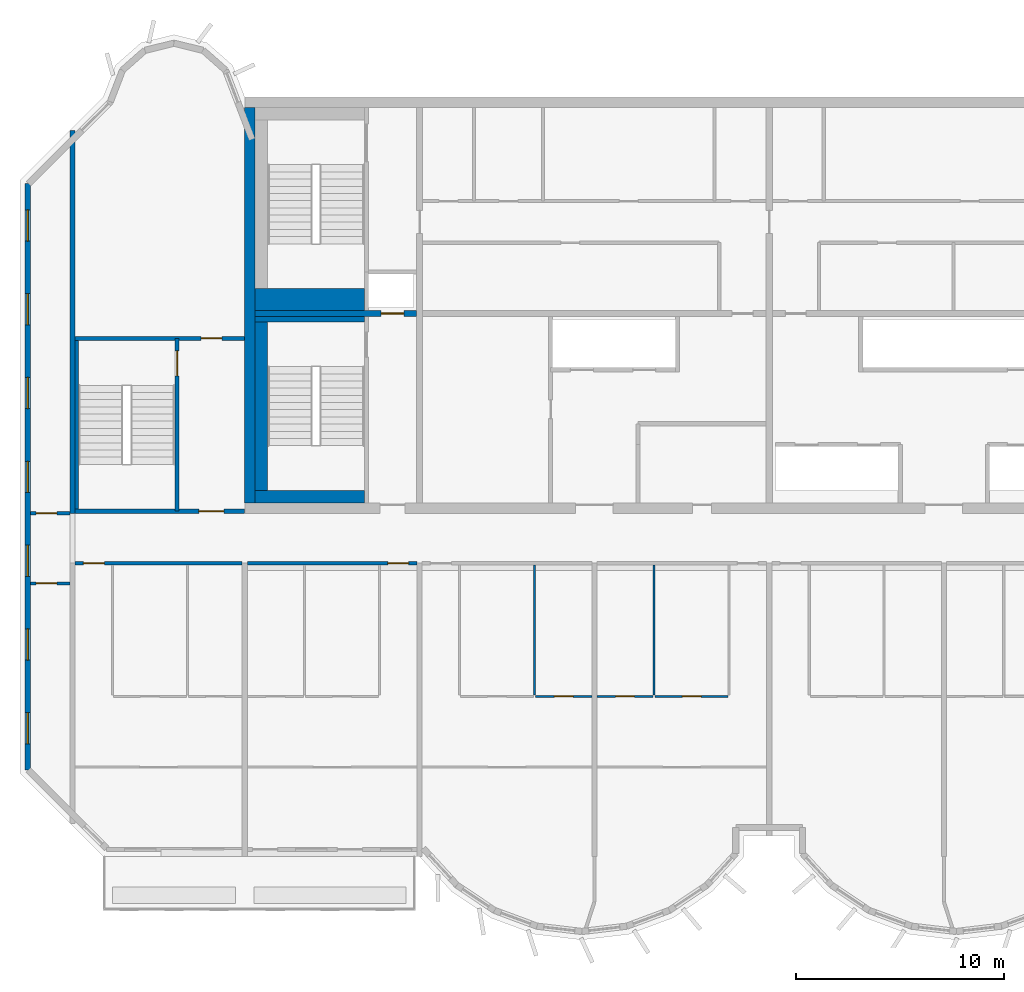
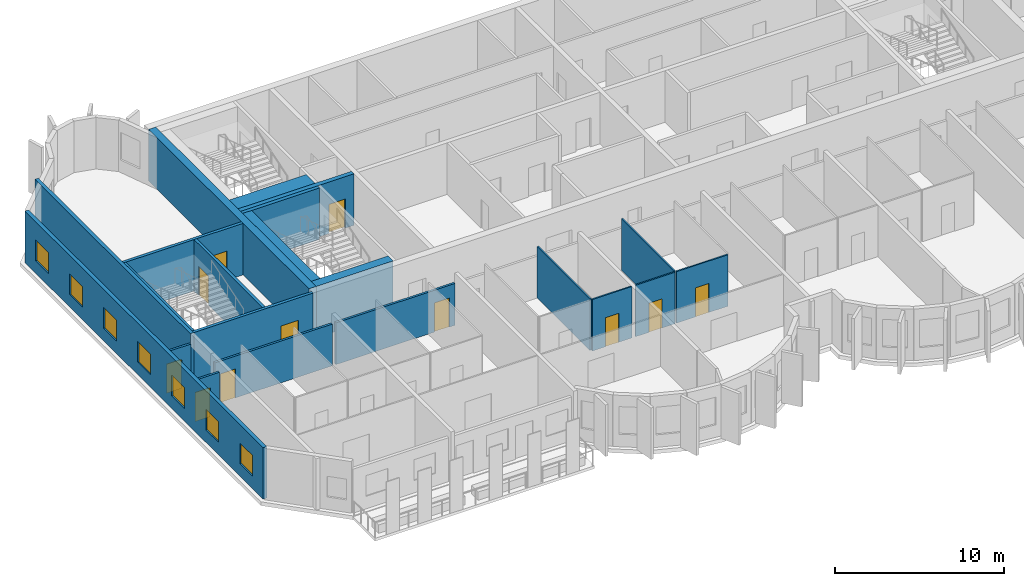
# One storey, part 3 of 12: 21 walls, 11 doors, 7 windows, 18 openings.
"""IFC4 building model written with IfcOpenShell, lengths in metres."""

from ifc_helpers import new_model, si_unit, direction, frame, frame_2d, origin, place, context, subcontext, project, spatial, rectangle, extrude, source, transform, mapped, material, layer, layer_set, type_object, element, fill, save


model = new_model("IFC4")

# Units and contexts
model_context = context("Model", 3, precision=1e-05, world=origin(), true_north=direction((0.0, 1.0)))
body_context = subcontext(model_context, "Body", "Model", "MODEL_VIEW")
ifc_project = project(units=[si_unit("LENGTHUNIT", "METRE"), si_unit("AREAUNIT", "SQUARE_METRE"), si_unit("VOLUMEUNIT", "CUBIC_METRE"), si_unit("PLANEANGLEUNIT", "RADIAN"), si_unit("MASSUNIT", "GRAM", prefix="KILO")], contexts=[model_context])

# Site, building, storey
site_placement = place(None, origin())
site = spatial("IfcSite", under=ifc_project, at=site_placement, CompositionType="ELEMENT")
building_placement = place(site_placement, origin())
building = spatial("IfcBuilding", under=site, at=building_placement, Name="Vanashikhar Sky Hotel", CompositionType="ELEMENT")
storey_placement = place(building_placement, frame((0.0, 0.0, 285.699951171875)))
storey = spatial("IfcBuildingStorey", under=building, at=storey_placement, Name="L68", CompositionType="ELEMENT", Elevation=285.699951171875)

# Wall
ifc_material_1 = material(Name="Concrete M50", Category="concrete")
ifc_layer_1 = layer(ifc_material_1, 0.5)
ifc_layer_set_1 = layer_set([ifc_layer_1], Name="RC core shell wall 500 Concrete M50")
wall_type_1 = type_object("IfcWallType", Name="RC core shell wall 500 Concrete M50", PredefinedType="SHEAR", material=ifc_layer_set_1)
shared_shape_1 = source(origin(), body_context, "Body", "SweptSolid", [
    extrude(rectangle(XDim=19.0, YDim=0.5, at=frame_2d((9.5, 0.0))), origin(), (0.0, 0.0, 1.0), 3.719970703125),
])
wall_1_placement = place(storey_placement, frame((25.449951171875, 22.5, 0.0), z_axis=(0.0, 0.0, 1.0), x_axis=(0.0, 1.0, 0.0)))
element("IfcWall", 1, at=wall_1_placement, inside=storey, type_object=wall_type_1, Name="KW-L68-KW", PredefinedType="SHEAR", context=body_context, shape_type="MappedRepresentation", body=[
    mapped(shared_shape_1, transform((0.0, 0.0, 0.0), scale=1.0)),
])

# Wall, opening, door
ifc_layer_2 = layer(ifc_material_1, 0.300048828125)
ifc_layer_set_2 = layer_set([ifc_layer_2], Name="RC core inner wall 300 Concrete M50")
wall_type_2 = type_object("IfcWallType", Name="RC core inner wall 300 Concrete M50", PredefinedType="SHEAR", material=ifc_layer_set_2)
shared_shape_2 = source(origin(), body_context, "Body", "SweptSolid", [
    extrude(rectangle(XDim=7.75, YDim=0.300048828125, at=frame_2d((3.875, 0.0))), origin(), (0.0, 0.0, 1.0), 3.719970703125),
])
wall_2_placement = place(storey_placement, frame((25.699951171875, 31.60009765625, 0.0), z_axis=(0.0, 0.0, 1.0), x_axis=(1.0, 0.0, 0.0)))
wall_2 = element("IfcWall", 2, at=wall_2_placement, inside=storey, type_object=wall_type_2, Name="KW-L68-KY1", PredefinedType="SHEAR", context=body_context, shape_type="MappedRepresentation", body=[
    mapped(shared_shape_2, transform((0.0, 0.0, 0.0), scale=1.0)),
])
shared_shape_3 = source(origin(), body_context, "Body", "SweptSolid", [
    extrude(rectangle(XDim=1.10009765625, YDim=2.10009765625, at=frame_2d((0.550048828125, 1.050048828125))), frame((0.0, 0.16015625, 0.0), z_axis=(0.0, -1.0, 0.0), x_axis=(1.0, 0.0, 0.0)), (0.0, 0.0, 1.0), 0.320068359375),
])
opening_1_placement = place(wall_2_placement, frame((6.050048828125, 0.0, 0.0)))
opening_1 = element("IfcOpeningElement", 3, at=opening_1_placement, cuts=wall_2, Name="Opening LD", PredefinedType="OPENING", context=body_context, shape_type="MappedRepresentation", body=[
    mapped(shared_shape_3, transform((0.0, 0.0, 0.0), scale=1.0)),
])
ifc_material_2 = material(Name="Stainless steel", Category="steel")
door_type_1 = type_object("IfcDoorType", Name="Lift landing door 1100", OperationType="NOTDEFINED", PredefinedType="DOOR", material=ifc_material_2)
shared_shape_4 = source(origin(), body_context, "Body", "SweptSolid", [
    extrude(rectangle(XDim=1.10009765625, YDim=2.10009765625, at=frame_2d((0.550048828125, 1.050048828125))), frame((0.0, 0.02490234375, 0.0), z_axis=(0.0, -1.0, 0.0), x_axis=(1.0, 0.0, 0.0)), (0.0, 0.0, 1.0), 0.050048828125),
])
door_1_placement = place(opening_1_placement, origin())
door_1 = element("IfcDoor", 4, at=door_1_placement, inside=storey, type_object=door_type_1, Name="Lift landing door 1100", OperationType="SLIDING_TO_RIGHT", OverallHeight=2.10009765625, OverallWidth=1.10009765625, PredefinedType="DOOR", context=body_context, shape_type="MappedRepresentation", body=[
    mapped(shared_shape_4, transform((0.0, 0.0, 0.0), scale=1.0)),
])
fill(opening_1, door_1)

# Wall
ifc_layer_3 = layer(ifc_material_1, 0.25)
ifc_layer_set_3 = layer_set([ifc_layer_3], Name="RC shear wall 250 Concrete M50")
wall_type_3 = type_object("IfcWallType", Name="RC shear wall 250 Concrete M50", PredefinedType="SHEAR", material=ifc_layer_set_3)
shared_shape_5 = source(origin(), body_context, "Body", "SweptSolid", [
    extrude(rectangle(XDim=18.39990234375, YDim=0.25, at=frame_2d((9.199951171875, 0.0))), origin(), (0.0, 0.0, 1.0), 3.719970703125),
])
wall_3_placement = place(storey_placement, frame((16.925048828125, 22.0, 0.0), z_axis=(0.0, 0.0, 1.0), x_axis=(0.0, 1.0, 0.0)))
element("IfcWall", 5, at=wall_3_placement, inside=storey, type_object=wall_type_3, Name="CW-L68-XW03-2", PredefinedType="SHEAR", context=body_context, shape_type="MappedRepresentation", body=[
    mapped(shared_shape_5, transform((0.0, 0.0, 0.0), scale=1.0)),
])

# Wall, openings, windows
ifc_layer_4 = layer(ifc_material_1, 0.25)
ifc_layer_set_4 = layer_set([ifc_layer_4], Name="Rear and end board-marked wall 250")
wall_type_4 = type_object("IfcWallType", Name="Rear and end board-marked wall 250", PredefinedType="SOLIDWALL", material=ifc_layer_set_4)
shared_shape_6 = source(origin(), body_context, "Body", "SweptSolid", [
    extrude(rectangle(XDim=28.189453125, YDim=0.25, at=frame_2d((14.0947265625, 0.0))), origin(), (0.0, 0.0, 1.0), 3.719970703125),
])
wall_4_placement = place(storey_placement, frame((14.77490234375, 37.8447265625, 0.0), z_axis=(0.0, 0.0, 1.0), x_axis=(0.0, -1.0, 0.0)))
wall_4 = element("IfcWall", 6, at=wall_4_placement, inside=storey, type_object=wall_type_4, Name="End board-marked wall", PredefinedType="SOLIDWALL", context=body_context, shape_type="MappedRepresentation", body=[
    mapped(shared_shape_6, transform((0.0, 0.0, 0.0), scale=1.0)),
])
shared_shape_7 = source(origin(), body_context, "Body", "SweptSolid", [
    extrude(rectangle(XDim=1.5, YDim=1.5, at=frame_2d((0.75, 0.75))), frame((0.0, 0.135009765625, 0.0), z_axis=(0.0, -1.0, 0.0), x_axis=(1.0, 0.0, 0.0)), (0.0, 0.0, 1.0), 0.27001953125),
])
opening_2_placement = place(wall_4_placement, frame((1.263427734375, 0.0, 0.89990234375)))
opening_2 = element("IfcOpeningElement", 7, at=opening_2_placement, cuts=wall_4, Name="Opening WN-1", PredefinedType="OPENING", context=body_context, shape_type="MappedRepresentation", body=[
    mapped(shared_shape_7, transform((0.0, 0.0, 0.0), scale=1.0)),
])
opening_3_placement = place(wall_4_placement, frame((5.29052734375, 0.0, 0.89990234375)))
opening_3 = element("IfcOpeningElement", 8, at=opening_3_placement, cuts=wall_4, Name="Opening WN-1", PredefinedType="OPENING", context=body_context, shape_type="MappedRepresentation", body=[
    mapped(shared_shape_7, transform((0.0, 0.0, 0.0), scale=1.0)),
])
opening_4_placement = place(wall_4_placement, frame((9.317626953125, 0.0, 0.89990234375)))
opening_4 = element("IfcOpeningElement", 9, at=opening_4_placement, cuts=wall_4, Name="Opening WN-1", PredefinedType="OPENING", context=body_context, shape_type="MappedRepresentation", body=[
    mapped(shared_shape_7, transform((0.0, 0.0, 0.0), scale=1.0)),
])
opening_5_placement = place(wall_4_placement, frame((13.3447265625, 0.0, 0.89990234375)))
opening_5 = element("IfcOpeningElement", 10, at=opening_5_placement, cuts=wall_4, Name="Opening WN-1", PredefinedType="OPENING", context=body_context, shape_type="MappedRepresentation", body=[
    mapped(shared_shape_7, transform((0.0, 0.0, 0.0), scale=1.0)),
])
opening_6_placement = place(wall_4_placement, frame((17.371826171875, 0.0, 0.89990234375)))
opening_6 = element("IfcOpeningElement", 11, at=opening_6_placement, cuts=wall_4, Name="Opening WN-1", PredefinedType="OPENING", context=body_context, shape_type="MappedRepresentation", body=[
    mapped(shared_shape_7, transform((0.0, 0.0, 0.0), scale=1.0)),
])
opening_7_placement = place(wall_4_placement, frame((21.398681640625, 0.0, 0.89990234375)))
opening_7 = element("IfcOpeningElement", 12, at=opening_7_placement, cuts=wall_4, Name="Opening WN-1", PredefinedType="OPENING", context=body_context, shape_type="MappedRepresentation", body=[
    mapped(shared_shape_7, transform((0.0, 0.0, 0.0), scale=1.0)),
])
opening_8_placement = place(wall_4_placement, frame((25.42578125, 0.0, 0.89990234375)))
opening_8 = element("IfcOpeningElement", 13, at=opening_8_placement, cuts=wall_4, Name="Opening WN-1", PredefinedType="OPENING", context=body_context, shape_type="MappedRepresentation", body=[
    mapped(shared_shape_7, transform((0.0, 0.0, 0.0), scale=1.0)),
])
ifc_material_3 = material(Name="Glass", Category="glass")
window_type = type_object("IfcWindowType", Name="Window 1500 x 1500", PartitioningType="SINGLE_PANEL", PredefinedType="WINDOW", material=ifc_material_3)
shared_shape_8 = source(origin(), body_context, "Body", "SweptSolid", [
    extrude(rectangle(XDim=1.5, YDim=1.5, at=frame_2d((0.75, 0.75))), frame((0.0, 0.030029296875, 0.0), z_axis=(0.0, -1.0, 0.0), x_axis=(1.0, 0.0, 0.0)), (0.0, 0.0, 1.0), 0.06005859375),
])
window_1_placement = place(opening_2_placement, origin())
window_1 = element("IfcWindow", 14, at=window_1_placement, inside=storey, type_object=window_type, Name="Window WN-1", OverallHeight=1.5, OverallWidth=1.5, PartitioningType="SINGLE_PANEL", PredefinedType="WINDOW", context=body_context, shape_type="MappedRepresentation", body=[
    mapped(shared_shape_8, transform((0.0, 0.0, 0.0), scale=1.0)),
])
fill(opening_2, window_1)
window_2_placement = place(opening_3_placement, origin())
window_2 = element("IfcWindow", 15, at=window_2_placement, inside=storey, type_object=window_type, Name="Window WN-1", OverallHeight=1.5, OverallWidth=1.5, PartitioningType="SINGLE_PANEL", PredefinedType="WINDOW", context=body_context, shape_type="MappedRepresentation", body=[
    mapped(shared_shape_8, transform((0.0, 0.0, 0.0), scale=1.0)),
])
fill(opening_3, window_2)
window_3_placement = place(opening_4_placement, origin())
window_3 = element("IfcWindow", 16, at=window_3_placement, inside=storey, type_object=window_type, Name="Window WN-1", OverallHeight=1.5, OverallWidth=1.5, PartitioningType="SINGLE_PANEL", PredefinedType="WINDOW", context=body_context, shape_type="MappedRepresentation", body=[
    mapped(shared_shape_8, transform((0.0, 0.0, 0.0), scale=1.0)),
])
fill(opening_4, window_3)
window_4_placement = place(opening_5_placement, origin())
window_4 = element("IfcWindow", 17, at=window_4_placement, inside=storey, type_object=window_type, Name="Window WN-1", OverallHeight=1.5, OverallWidth=1.5, PartitioningType="SINGLE_PANEL", PredefinedType="WINDOW", context=body_context, shape_type="MappedRepresentation", body=[
    mapped(shared_shape_8, transform((0.0, 0.0, 0.0), scale=1.0)),
])
fill(opening_5, window_4)
window_5_placement = place(opening_6_placement, origin())
window_5 = element("IfcWindow", 18, at=window_5_placement, inside=storey, type_object=window_type, Name="Window WN-1", OverallHeight=1.5, OverallWidth=1.5, PartitioningType="SINGLE_PANEL", PredefinedType="WINDOW", context=body_context, shape_type="MappedRepresentation", body=[
    mapped(shared_shape_8, transform((0.0, 0.0, 0.0), scale=1.0)),
])
fill(opening_6, window_5)
window_6_placement = place(opening_7_placement, origin())
window_6 = element("IfcWindow", 19, at=window_6_placement, inside=storey, type_object=window_type, Name="Window WN-1", OverallHeight=1.5, OverallWidth=1.5, PartitioningType="SINGLE_PANEL", PredefinedType="WINDOW", context=body_context, shape_type="MappedRepresentation", body=[
    mapped(shared_shape_8, transform((0.0, 0.0, 0.0), scale=1.0)),
])
fill(opening_7, window_6)
window_7_placement = place(opening_8_placement, origin())
window_7 = element("IfcWindow", 20, at=window_7_placement, inside=storey, type_object=window_type, Name="Window WN-1", OverallHeight=1.5, OverallWidth=1.5, PartitioningType="SINGLE_PANEL", PredefinedType="WINDOW", context=body_context, shape_type="MappedRepresentation", body=[
    mapped(shared_shape_8, transform((0.0, 0.0, 0.0), scale=1.0)),
])
fill(opening_8, window_7)

# Wall, opening, door
ifc_layer_5 = layer(ifc_material_1, 0.199951171875)
ifc_layer_set_5 = layer_set([ifc_layer_5], Name="Stair wall 200")
wall_type_5 = type_object("IfcWallType", Name="Stair wall 200", PredefinedType="SOLIDWALL", material=ifc_layer_set_5)
shared_shape_9 = source(origin(), body_context, "Body", "SweptSolid", [
    extrude(rectangle(XDim=8.2998046875, YDim=0.199951171875, at=frame_2d((4.14990234375, 0.0))), origin(), (0.0, 0.0, 1.0), 3.719970703125),
])
wall_5_placement = place(storey_placement, frame((21.949951171875, 22.10009765625, 0.0), z_axis=(0.0, 0.0, 1.0), x_axis=(0.0, 1.0, 0.0)))
wall_5 = element("IfcWall", 21, at=wall_5_placement, inside=storey, type_object=wall_type_5, Name="Stair wall 200", PredefinedType="SOLIDWALL", context=body_context, shape_type="MappedRepresentation", body=[
    mapped(shared_shape_9, transform((0.0, 0.0, 0.0), scale=1.0)),
])
shared_shape_10 = source(origin(), body_context, "Body", "SweptSolid", [
    extrude(rectangle(XDim=1.199951171875, YDim=2.10009765625, at=frame_2d((0.60009765625, 1.050048828125))), frame((0.0, 0.10986328125, 0.0), z_axis=(0.0, -1.0, 0.0), x_axis=(1.0, 0.0, 0.0)), (0.0, 0.0, 1.0), 0.219970703125),
])
opening_9_placement = place(wall_5_placement, frame((6.5, 0.0, 0.0)))
opening_9 = element("IfcOpeningElement", 22, at=opening_9_placement, cuts=wall_5, Name="Opening DC-1", PredefinedType="OPENING", context=body_context, shape_type="MappedRepresentation", body=[
    mapped(shared_shape_10, transform((0.0, 0.0, 0.0), scale=1.0)),
])
ifc_material_4 = material(Name="Steel", Category="steel")
door_type_2 = type_object("IfcDoorType", Name="Stair door 1200 FD120", OperationType="NOTDEFINED", PredefinedType="DOOR", material=ifc_material_4)
shared_shape_11 = source(origin(), body_context, "Body", "SweptSolid", [
    extrude(rectangle(XDim=1.199951171875, YDim=2.10009765625, at=frame_2d((0.60009765625, 1.050048828125))), frame((0.0, 0.02490234375, 0.0), z_axis=(0.0, -1.0, 0.0), x_axis=(1.0, 0.0, 0.0)), (0.0, 0.0, 1.0), 0.050048828125),
])
door_2_placement = place(opening_9_placement, origin())
door_2 = element("IfcDoor", 23, at=door_2_placement, inside=storey, type_object=door_type_2, Name="Stair door 1200 FD120", OperationType="SINGLE_SWING_LEFT", OverallHeight=2.10009765625, OverallWidth=1.199951171875, PredefinedType="DOOR", context=body_context, shape_type="MappedRepresentation", body=[
    mapped(shared_shape_11, transform((0.0, 0.0, 0.0), scale=1.0)),
])
fill(opening_9, door_2)

shared_shape_12 = source(origin(), body_context, "Body", "SweptSolid", [
    extrude(rectangle(XDim=8.14990234375, YDim=0.199951171875, at=frame_2d((4.074951171875, 0.0))), origin(), (0.0, 0.0, 1.0), 3.719970703125),
])
wall_6_placement = place(storey_placement, frame((17.050048828125, 22.10009765625, 0.0), z_axis=(0.0, 0.0, 1.0), x_axis=(1.0, 0.0, 0.0)))
wall_6 = element("IfcWall", 24, at=wall_6_placement, inside=storey, type_object=wall_type_5, Name="Stair wall 200", PredefinedType="SOLIDWALL", context=body_context, shape_type="MappedRepresentation", body=[
    mapped(shared_shape_12, transform((0.0, 0.0, 0.0), scale=1.0)),
])
opening_10_placement = place(wall_6_placement, frame((5.949951171875, 0.0, 0.0)))
opening_10 = element("IfcOpeningElement", 25, at=opening_10_placement, cuts=wall_6, Name="Opening DC-2", PredefinedType="OPENING", context=body_context, shape_type="MappedRepresentation", body=[
    mapped(shared_shape_10, transform((0.0, 0.0, 0.0), scale=1.0)),
])
door_type_3 = type_object("IfcDoorType", Name="Firefighting lobby door 1200 FD120", OperationType="NOTDEFINED", PredefinedType="DOOR", material=ifc_material_4)
door_3_placement = place(opening_10_placement, origin())
door_3 = element("IfcDoor", 26, at=door_3_placement, inside=storey, type_object=door_type_3, Name="Firefighting lobby door 1200 FD120", OperationType="SINGLE_SWING_LEFT", OverallHeight=2.10009765625, OverallWidth=1.199951171875, PredefinedType="DOOR", context=body_context, shape_type="MappedRepresentation", body=[
    mapped(shared_shape_11, transform((0.0, 0.0, 0.0), scale=1.0)),
])
fill(opening_10, door_3)

wall_7_placement = place(storey_placement, frame((17.050048828125, 30.39990234375, 0.0), z_axis=(0.0, 0.0, 1.0), x_axis=(1.0, 0.0, 0.0)))
wall_7 = element("IfcWall", 27, at=wall_7_placement, inside=storey, type_object=wall_type_5, Name="Stair wall 200", PredefinedType="SOLIDWALL", context=body_context, shape_type="MappedRepresentation", body=[
    mapped(shared_shape_12, transform((0.0, 0.0, 0.0), scale=1.0)),
])
shared_shape_13 = source(origin(), body_context, "Body", "SweptSolid", [
    extrude(rectangle(XDim=1.0, YDim=2.10009765625, at=frame_2d((0.5, 1.050048828125))), frame((0.0, 0.10986328125, 0.0), z_axis=(0.0, -1.0, 0.0), x_axis=(1.0, 0.0, 0.0)), (0.0, 0.0, 1.0), 0.219970703125),
])
opening_11_placement = place(wall_7_placement, frame((6.050048828125, 0.0, 0.0)))
opening_11 = element("IfcOpeningElement", 28, at=opening_11_placement, cuts=wall_7, Name="Opening DC-6", PredefinedType="OPENING", context=body_context, shape_type="MappedRepresentation", body=[
    mapped(shared_shape_13, transform((0.0, 0.0, 0.0), scale=1.0)),
])
door_type_4 = type_object("IfcDoorType", Name="Pocket door 1000 FD60", OperationType="NOTDEFINED", PredefinedType="DOOR", material=ifc_material_4)
shared_shape_14 = source(origin(), body_context, "Body", "SweptSolid", [
    extrude(rectangle(XDim=1.0, YDim=2.10009765625, at=frame_2d((0.5, 1.050048828125))), frame((0.0, 0.02490234375, 0.0), z_axis=(0.0, -1.0, 0.0), x_axis=(1.0, 0.0, 0.0)), (0.0, 0.0, 1.0), 0.050048828125),
])
door_4_placement = place(opening_11_placement, origin())
door_4 = element("IfcDoor", 29, at=door_4_placement, inside=storey, type_object=door_type_4, Name="Pocket door 1000 FD60", OperationType="SINGLE_SWING_LEFT", OverallHeight=2.10009765625, OverallWidth=1.0, PredefinedType="DOOR", context=body_context, shape_type="MappedRepresentation", body=[
    mapped(shared_shape_14, transform((0.0, 0.0, 0.0), scale=1.0)),
])
fill(opening_11, door_4)

# Walls
ifc_layer_6 = layer(ifc_material_1, 0.60009765625)
ifc_layer_set_6 = layer_set([ifc_layer_6], Name="Stair infill wall 600")
wall_type_6 = type_object("IfcWallType", Name="Stair infill wall 600", PredefinedType="SOLIDWALL", material=ifc_layer_set_6)
shared_shape_15 = source(origin(), body_context, "Body", "SweptSolid", [
    extrude(rectangle(XDim=5.25, YDim=0.60009765625, at=frame_2d((2.625, 0.0))), origin(), (0.0, 0.0, 1.0), 3.719970703125),
])
wall_8_placement = place(storey_placement, frame((25.699951171875, 22.800048828125, 0.0), z_axis=(0.0, 0.0, 1.0), x_axis=(1.0, 0.0, 0.0)))
element("IfcWall", 30, at=wall_8_placement, inside=storey, type_object=wall_type_6, Name="Stair infill wall 600", PredefinedType="SOLIDWALL", context=body_context, shape_type="MappedRepresentation", body=[
    mapped(shared_shape_15, transform((0.0, 0.0, 0.0), scale=1.0)),
])
ifc_layer_7 = layer(ifc_material_1, 0.25)
ifc_layer_set_7 = layer_set([ifc_layer_7], Name="Stair infill wall 250")
wall_type_7 = type_object("IfcWallType", Name="Stair infill wall 250", PredefinedType="SOLIDWALL", material=ifc_layer_set_7)
shared_shape_16 = source(origin(), body_context, "Body", "SweptSolid", [
    extrude(rectangle(XDim=5.25, YDim=0.25, at=frame_2d((2.625, 0.0))), origin(), (0.0, 0.0, 1.0), 3.719970703125),
])
wall_9_placement = place(storey_placement, frame((25.699951171875, 31.324951171875, 0.0), z_axis=(0.0, 0.0, 1.0), x_axis=(1.0, 0.0, 0.0)))
element("IfcWall", 31, at=wall_9_placement, inside=storey, type_object=wall_type_7, Name="Stair infill wall 250", PredefinedType="SOLIDWALL", context=body_context, shape_type="MappedRepresentation", body=[
    mapped(shared_shape_16, transform((0.0, 0.0, 0.0), scale=1.0)),
])
shared_shape_17 = source(origin(), body_context, "Body", "SweptSolid", [
    extrude(rectangle(XDim=8.099853515625, YDim=0.60009765625, at=frame_2d((4.0498046875, 0.0))), origin(), (0.0, 0.0, 1.0), 3.719970703125),
])
wall_10_placement = place(storey_placement, frame((26.0, 23.10009765625, 0.0), z_axis=(0.0, 0.0, 1.0), x_axis=(0.0, 1.0, 0.0)))
element("IfcWall", 32, at=wall_10_placement, inside=storey, type_object=wall_type_6, Name="Stair infill wall 600", PredefinedType="SOLIDWALL", context=body_context, shape_type="MappedRepresentation", body=[
    mapped(shared_shape_17, transform((0.0, 0.0, 0.0), scale=1.0)),
])
ifc_layer_8 = layer(ifc_material_1, 0.14990234375)
ifc_layer_set_8 = layer_set([ifc_layer_8], Name="Stair infill wall 150")
wall_type_8 = type_object("IfcWallType", Name="Stair infill wall 150", PredefinedType="SOLIDWALL", material=ifc_layer_set_8)
shared_shape_18 = source(origin(), body_context, "Body", "SweptSolid", [
    extrude(rectangle(XDim=8.10009765625, YDim=0.14990234375, at=frame_2d((4.050048828125, 0.0))), origin(), (0.0, 0.0, 1.0), 3.719970703125),
])
wall_11_placement = place(storey_placement, frame((17.125, 22.199951171875, 0.0), z_axis=(0.0, 0.0, 1.0), x_axis=(0.0, 1.0, 0.0)))
element("IfcWall", 33, at=wall_11_placement, inside=storey, type_object=wall_type_8, Name="Stair infill wall 150", PredefinedType="SOLIDWALL", context=body_context, shape_type="MappedRepresentation", body=[
    mapped(shared_shape_18, transform((0.0, 0.0, 0.0), scale=1.0)),
])
ifc_layer_9 = layer(ifc_material_1, 1.050048828125)
ifc_layer_set_9 = layer_set([ifc_layer_9], Name="Stair infill wall 1050")
wall_type_9 = type_object("IfcWallType", Name="Stair infill wall 1050", PredefinedType="SOLIDWALL", material=ifc_layer_set_9)
shared_shape_19 = source(origin(), body_context, "Body", "SweptSolid", [
    extrude(rectangle(XDim=5.25, YDim=1.050048828125, at=frame_2d((2.625, 0.0))), origin(), (0.0, 0.0, 1.0), 3.719970703125),
])
wall_12_placement = place(storey_placement, frame((25.699951171875, 32.27490234375, 0.0), z_axis=(0.0, 0.0, 1.0), x_axis=(1.0, 0.0, 0.0)))
element("IfcWall", 34, at=wall_12_placement, inside=storey, type_object=wall_type_9, Name="Stair infill wall 1050", PredefinedType="SOLIDWALL", context=body_context, shape_type="MappedRepresentation", body=[
    mapped(shared_shape_19, transform((0.0, 0.0, 0.0), scale=1.0)),
])
ifc_material_5 = material(Name="Gypsum plasterboard partition")
ifc_layer_10 = layer(ifc_material_5, 0.10009765625)
ifc_layer_set_10 = layer_set([ifc_layer_10], Name="Wet room partition 100")
wall_type_10 = type_object("IfcWallType", Name="Wet room partition 100", PredefinedType="PARTITIONING", material=ifc_layer_set_10)
shared_shape_20 = source(origin(), body_context, "Body", "SweptSolid", [
    extrude(rectangle(XDim=6.25, YDim=0.10009765625, at=frame_2d((3.125, 0.0))), origin(), (0.0, 0.0, 1.0), 3.719970703125),
])
for number, where, z_axis, x_axis, name in (
    (35, (39.125, 13.27490234375, 0.0), (0.0, 0.0, 1.0), (0.0, 1.0, 0.0), "W-L68-PW014"),
    (36, (44.875, 13.27490234375, 0.0), (0.0, 0.0, 1.0), (0.0, 1.0, 0.0), "W-L68-PW020"),
):
    element("IfcWall", number, at=place(storey_placement, frame(where, z_axis=z_axis, x_axis=x_axis)), inside=storey, type_object=wall_type_10, Name=name, PredefinedType="PARTITIONING", context=body_context, shape_type="MappedRepresentation", body=[
        mapped(shared_shape_20, transform((0.0, 0.0, 0.0), scale=1.0)),
    ])

# Wall, opening, door
shared_shape_21 = source(origin(), body_context, "Body", "SweptSolid", [
    extrude(rectangle(XDim=3.5, YDim=0.10009765625, at=frame_2d((1.75, 0.0))), origin(), (0.0, 0.0, 1.0), 3.719970703125),
])
wall_13_placement = place(storey_placement, frame((44.925048828125, 13.199951171875, 0.0), z_axis=(0.0, 0.0, 1.0), x_axis=(1.0, 0.0, 0.0)))
wall_13 = element("IfcWall", 37, at=wall_13_placement, inside=storey, type_object=wall_type_10, Name="W-L68-PW021", PredefinedType="PARTITIONING", context=body_context, shape_type="MappedRepresentation", body=[
    mapped(shared_shape_21, transform((0.0, 0.0, 0.0), scale=1.0)),
])
shared_shape_22 = source(origin(), body_context, "Body", "SweptSolid", [
    extrude(rectangle(XDim=0.89990234375, YDim=2.10009765625, at=frame_2d((0.449951171875, 1.050048828125))), frame((0.0, 0.06005859375, 0.0), z_axis=(0.0, -1.0, 0.0), x_axis=(1.0, 0.0, 0.0)), (0.0, 0.0, 1.0), 0.1201171875),
])
opening_12_placement = place(wall_13_placement, frame((1.300048828125, 0.0, 0.0)))
opening_12 = element("IfcOpeningElement", 38, at=opening_12_placement, cuts=wall_13, Name="Opening D-02", PredefinedType="OPENING", context=body_context, shape_type="MappedRepresentation", body=[
    mapped(shared_shape_22, transform((0.0, 0.0, 0.0), scale=1.0)),
])
ifc_material_6 = material(Name="Timber door", Category="wood")
door_type_5 = type_object("IfcDoorType", Name="Internal door 900", OperationType="NOTDEFINED", PredefinedType="DOOR", material=ifc_material_6)
shared_shape_23 = source(origin(), body_context, "Body", "SweptSolid", [
    extrude(rectangle(XDim=0.89990234375, YDim=2.10009765625, at=frame_2d((0.449951171875, 1.050048828125))), frame((0.0, 0.02490234375, 0.0), z_axis=(0.0, -1.0, 0.0), x_axis=(1.0, 0.0, 0.0)), (0.0, 0.0, 1.0), 0.050048828125),
])
door_5_placement = place(opening_12_placement, origin())
door_5 = element("IfcDoor", 39, at=door_5_placement, inside=storey, type_object=door_type_5, Name="D-L68-013", OperationType="SINGLE_SWING_RIGHT", OverallHeight=2.10009765625, OverallWidth=0.89990234375, PredefinedType="DOOR", context=body_context, shape_type="MappedRepresentation", body=[
    mapped(shared_shape_23, transform((0.0, 0.0, 0.0), scale=1.0)),
])
fill(opening_12, door_5)

ifc_layer_11 = layer(ifc_material_5, 0.14990234375)
ifc_layer_set_11 = layer_set([ifc_layer_11], Name="Corridor and demising partition 150")
wall_type_11 = type_object("IfcWallType", Name="Corridor and demising partition 150", PredefinedType="PARTITIONING", material=ifc_layer_set_11)
shared_shape_24 = source(origin(), body_context, "Body", "SweptSolid", [
    extrude(rectangle(XDim=8.02490234375, YDim=0.14990234375, at=frame_2d((4.012451171875, 0.0))), origin(), (0.0, 0.0, 1.0), 3.02001953125),
])
wall_14_placement = place(storey_placement, frame((17.050048828125, 19.60009765625, 0.0), z_axis=(0.0, 0.0, 1.0), x_axis=(1.0, 0.0, 0.0)))
wall_14 = element("IfcWall", 40, at=wall_14_placement, inside=storey, type_object=wall_type_11, Name="W-L68-PW006", PredefinedType="PARTITIONING", context=body_context, shape_type="MappedRepresentation", body=[
    mapped(shared_shape_24, transform((0.0, 0.0, 0.0), scale=1.0)),
])
shared_shape_25 = source(origin(), body_context, "Body", "SweptSolid", [
    extrude(rectangle(XDim=1.0, YDim=2.10009765625, at=frame_2d((0.5, 1.050048828125))), frame((0.0, 0.0849609375, 0.0), z_axis=(0.0, -1.0, 0.0), x_axis=(1.0, 0.0, 0.0)), (0.0, 0.0, 1.0), 0.169921875),
])
opening_13_placement = place(wall_14_placement, frame((0.39990234375, 0.0, 0.0)))
opening_13 = element("IfcOpeningElement", 41, at=opening_13_placement, cuts=wall_14, Name="Opening D-01", PredefinedType="OPENING", context=body_context, shape_type="MappedRepresentation", body=[
    mapped(shared_shape_25, transform((0.0, 0.0, 0.0), scale=1.0)),
])
ifc_material_7 = material(Name="Timber fire door", Category="wood")
door_type_6 = type_object("IfcDoorType", Name="Guest entry door 1000 FD30S", OperationType="NOTDEFINED", PredefinedType="DOOR", material=ifc_material_7)
door_6_placement = place(opening_13_placement, origin())
door_6 = element("IfcDoor", 42, at=door_6_placement, inside=storey, type_object=door_type_6, Name="D-L68-004", OperationType="SINGLE_SWING_LEFT", OverallHeight=2.10009765625, OverallWidth=1.0, PredefinedType="DOOR", context=body_context, shape_type="MappedRepresentation", body=[
    mapped(shared_shape_14, transform((0.0, 0.0, 0.0), scale=1.0)),
])
fill(opening_13, door_6)

shared_shape_26 = source(origin(), body_context, "Body", "SweptSolid", [
    extrude(rectangle(XDim=2.699951171875, YDim=0.10009765625, at=frame_2d((1.35009765625, 0.0))), origin(), (0.0, 0.0, 1.0), 3.719970703125),
])
wall_15_placement = place(storey_placement, frame((39.175048828125, 13.199951171875, 0.0), z_axis=(0.0, 0.0, 1.0), x_axis=(1.0, 0.0, 0.0)))
wall_15 = element("IfcWall", 43, at=wall_15_placement, inside=storey, type_object=wall_type_10, Name="W-L68-PW016", PredefinedType="PARTITIONING", context=body_context, shape_type="MappedRepresentation", body=[
    mapped(shared_shape_26, transform((0.0, 0.0, 0.0), scale=1.0)),
])
opening_14_placement = place(wall_15_placement, frame((0.89990234375, 0.0, 0.0)))
opening_14 = element("IfcOpeningElement", 44, at=opening_14_placement, cuts=wall_15, Name="Opening D-02", PredefinedType="OPENING", context=body_context, shape_type="MappedRepresentation", body=[
    mapped(shared_shape_22, transform((0.0, 0.0, 0.0), scale=1.0)),
])
door_7_placement = place(opening_14_placement, origin())
door_7 = element("IfcDoor", 45, at=door_7_placement, inside=storey, type_object=door_type_5, Name="D-L68-010", OperationType="SINGLE_SWING_LEFT", OverallHeight=2.10009765625, OverallWidth=0.89990234375, PredefinedType="DOOR", context=body_context, shape_type="MappedRepresentation", body=[
    mapped(shared_shape_23, transform((0.0, 0.0, 0.0), scale=1.0)),
])
fill(opening_14, door_7)

wall_16_placement = place(storey_placement, frame((42.125, 13.199951171875, 0.0), z_axis=(0.0, 0.0, 1.0), x_axis=(1.0, 0.0, 0.0)))
wall_16 = element("IfcWall", 46, at=wall_16_placement, inside=storey, type_object=wall_type_10, Name="W-L68-PW022", PredefinedType="PARTITIONING", context=body_context, shape_type="MappedRepresentation", body=[
    mapped(shared_shape_26, transform((0.0, 0.0, 0.0), scale=1.0)),
])
opening_15_placement = place(wall_16_placement, frame((0.89990234375, 0.0, 0.0)))
opening_15 = element("IfcOpeningElement", 47, at=opening_15_placement, cuts=wall_16, Name="Opening D-02", PredefinedType="OPENING", context=body_context, shape_type="MappedRepresentation", body=[
    mapped(shared_shape_22, transform((0.0, 0.0, 0.0), scale=1.0)),
])
door_8_placement = place(opening_15_placement, origin())
door_8 = element("IfcDoor", 48, at=door_8_placement, inside=storey, type_object=door_type_5, Name="D-L68-014", OperationType="SINGLE_SWING_RIGHT", OverallHeight=2.10009765625, OverallWidth=0.89990234375, PredefinedType="DOOR", context=body_context, shape_type="MappedRepresentation", body=[
    mapped(shared_shape_23, transform((0.0, 0.0, 0.0), scale=1.0)),
])
fill(opening_15, door_8)

shared_shape_27 = source(origin(), body_context, "Body", "SweptSolid", [
    extrude(rectangle(XDim=8.150146484375, YDim=0.14990234375, at=frame_2d((4.0751953125, 0.0))), origin(), (0.0, 0.0, 1.0), 3.02001953125),
])
wall_17_placement = place(storey_placement, frame((25.324951171875, 19.60009765625, 0.0), z_axis=(0.0, 0.0, 1.0), x_axis=(1.0, 0.0, 0.0)))
wall_17 = element("IfcWall", 49, at=wall_17_placement, inside=storey, type_object=wall_type_11, Name="W-L68-PW012", PredefinedType="PARTITIONING", context=body_context, shape_type="MappedRepresentation", body=[
    mapped(shared_shape_27, transform((0.0, 0.0, 0.0), scale=1.0)),
])
opening_16_placement = place(wall_17_placement, frame((6.75, 0.0, 0.0)))
opening_16 = element("IfcOpeningElement", 50, at=opening_16_placement, cuts=wall_17, Name="Opening D-01", PredefinedType="OPENING", context=body_context, shape_type="MappedRepresentation", body=[
    mapped(shared_shape_25, transform((0.0, 0.0, 0.0), scale=1.0)),
])
door_9_placement = place(opening_16_placement, origin())
door_9 = element("IfcDoor", 51, at=door_9_placement, inside=storey, type_object=door_type_6, Name="D-L68-008", OperationType="SINGLE_SWING_RIGHT", OverallHeight=2.10009765625, OverallWidth=1.0, PredefinedType="DOOR", context=body_context, shape_type="MappedRepresentation", body=[
    mapped(shared_shape_14, transform((0.0, 0.0, 0.0), scale=1.0)),
])
fill(opening_16, door_9)

shared_shape_28 = source(origin(), body_context, "Body", "SweptSolid", [
    extrude(rectangle(XDim=1.900146484375, YDim=0.14990234375, at=frame_2d((0.9501953125, 0.0))), origin(), (0.0, 0.0, 1.0), 3.02001953125),
])
wall_18_placement = place(storey_placement, frame((14.89990234375, 22.0, 0.0), z_axis=(0.0, 0.0, 1.0), x_axis=(1.0, 0.0, 0.0)))
wall_18 = element("IfcWall", 52, at=wall_18_placement, inside=storey, type_object=wall_type_11, Name="W-L68-PW048", PredefinedType="PARTITIONING", context=body_context, shape_type="MappedRepresentation", body=[
    mapped(shared_shape_28, transform((0.0, 0.0, 0.0), scale=1.0)),
])
opening_17_placement = place(wall_18_placement, frame((0.27490234375, 0.0, 0.0)))
opening_17 = element("IfcOpeningElement", 53, at=opening_17_placement, cuts=wall_18, Name="Opening D-01", PredefinedType="OPENING", context=body_context, shape_type="MappedRepresentation", body=[
    mapped(shared_shape_25, transform((0.0, 0.0, 0.0), scale=1.0)),
])
door_10_placement = place(opening_17_placement, origin())
door_10 = element("IfcDoor", 54, at=door_10_placement, inside=storey, type_object=door_type_6, Name="D-L68-030", OperationType="SINGLE_SWING_LEFT", OverallHeight=2.10009765625, OverallWidth=1.0, PredefinedType="DOOR", context=body_context, shape_type="MappedRepresentation", body=[
    mapped(shared_shape_14, transform((0.0, 0.0, 0.0), scale=1.0)),
])
fill(opening_17, door_10)

wall_19_placement = place(storey_placement, frame((14.89990234375, 18.6279296875, 0.0), z_axis=(0.0, 0.0, 1.0), x_axis=(1.0, 0.0, 0.0)))
wall_19 = element("IfcWall", 55, at=wall_19_placement, inside=storey, type_object=wall_type_11, Name="W-L68-PW050", PredefinedType="PARTITIONING", context=body_context, shape_type="MappedRepresentation", body=[
    mapped(shared_shape_28, transform((0.0, 0.0, 0.0), scale=1.0)),
])
opening_18_placement = place(wall_19_placement, frame((0.27490234375, 0.0, 0.0)))
opening_18 = element("IfcOpeningElement", 56, at=opening_18_placement, cuts=wall_19, Name="Opening D-01", PredefinedType="OPENING", context=body_context, shape_type="MappedRepresentation", body=[
    mapped(shared_shape_25, transform((0.0, 0.0, 0.0), scale=1.0)),
])
door_11_placement = place(opening_18_placement, origin())
door_11 = element("IfcDoor", 57, at=door_11_placement, inside=storey, type_object=door_type_6, Name="D-L68-032", OperationType="SINGLE_SWING_LEFT", OverallHeight=2.10009765625, OverallWidth=1.0, PredefinedType="DOOR", context=body_context, shape_type="MappedRepresentation", body=[
    mapped(shared_shape_14, transform((0.0, 0.0, 0.0), scale=1.0)),
])
fill(opening_18, door_11)

save(model, "model.ifc")
